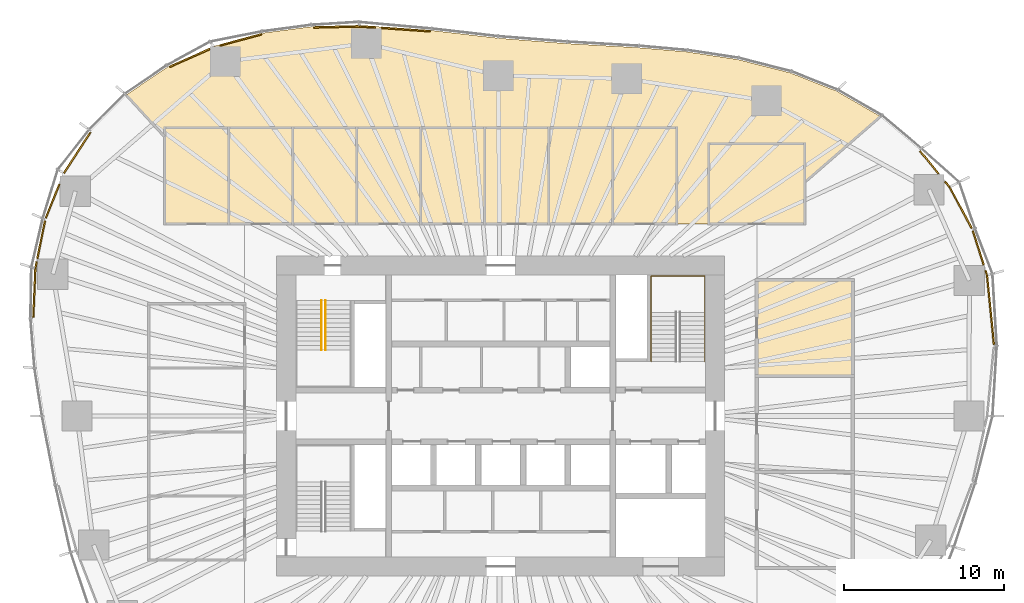
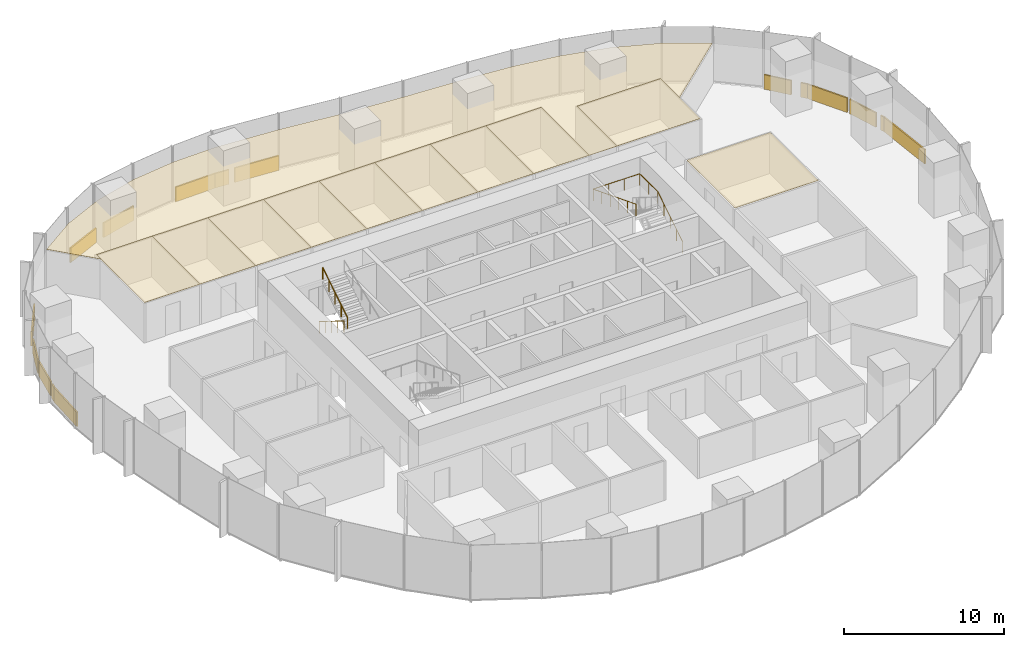
# One storey, part 20 of 20: 27 coverings, 3 railings.
"""IFC4 building model written with IfcOpenShell, lengths in metres."""

from ifc_helpers import new_model, si_unit, direction, frame, origin, origin_2d, place, context, subcontext, project, spatial, polyline, rectangle, circle, outline, extrude, material, layer, layer_set, type_object, element, save


model = new_model("IFC4")

# Units and contexts
model_context = context("Model", 3, precision=1e-05, world=origin(), true_north=direction((0.0, 1.0)))
body_context = subcontext(model_context, "Body", "Model", "MODEL_VIEW")
ifc_project = project(units=[si_unit("LENGTHUNIT", "METRE"), si_unit("AREAUNIT", "SQUARE_METRE"), si_unit("VOLUMEUNIT", "CUBIC_METRE"), si_unit("PLANEANGLEUNIT", "RADIAN"), si_unit("MASSUNIT", "GRAM", prefix="KILO")], contexts=[model_context])

# Site, building, storey
site_placement = place(None, origin())
site = spatial("IfcSite", under=ifc_project, at=site_placement, CompositionType="ELEMENT")
building_placement = place(site_placement, origin())
building = spatial("IfcBuilding", under=site, at=building_placement, Name="Ghaith Harvest Tower", CompositionType="ELEMENT")
storey_placement = place(building_placement, frame((0.0, 0.0, 109.199951171875)))
storey = spatial("IfcBuildingStorey", under=building, at=storey_placement, Name="L22", CompositionType="ELEMENT", Elevation=109.199951171875)

# Coverings
ifc_material_1 = material(Name="Mineral fibre ceiling tile", Category="gypsum")
ifc_layer_1 = layer(ifc_material_1, 0.02001953125)
ifc_layer_set_1 = layer_set([ifc_layer_1], Name="CEILING C1")
covering_type_1 = type_object("IfcCoveringType", Name="CEILING C1", PredefinedType="CEILING", material=ifc_layer_set_1)
covering_1_placement = place(storey_placement, frame((0.0, 0.0, 3.0)))
element("IfcCovering", 1, at=covering_1_placement, inside=storey, type_object=covering_type_1, Name="Ceiling L22-01", PredefinedType="CEILING", context=body_context, shape_type="SweptSolid", body=[
    extrude(outline(polyline([(-21.0, 12.0), (-17.0, 12.0), (-17.0, 18.0), (-21.0, 18.0), (-21.0, 12.0)])), origin(), (0.0, 0.0, 1.0), 0.02001953125),
])
covering_2_placement = place(storey_placement, frame((0.0, 0.0, 3.0)))
element("IfcCovering", 2, at=covering_2_placement, inside=storey, type_object=covering_type_1, Name="Ceiling L22-02", PredefinedType="CEILING", context=body_context, shape_type="SweptSolid", body=[
    extrude(outline(polyline([(-17.0, 12.0), (-13.0, 12.0), (-13.0, 18.0), (-17.0, 18.0), (-17.0, 12.0)])), origin(), (0.0, 0.0, 1.0), 0.02001953125),
])
covering_3_placement = place(storey_placement, frame((0.0, 0.0, 3.0)))
element("IfcCovering", 3, at=covering_3_placement, inside=storey, type_object=covering_type_1, Name="Ceiling L22-03", PredefinedType="CEILING", context=body_context, shape_type="SweptSolid", body=[
    extrude(outline(polyline([(-13.0, 12.0), (-9.0, 12.0), (-9.0, 18.0), (-13.0, 18.0), (-13.0, 12.0)])), origin(), (0.0, 0.0, 1.0), 0.02001953125),
])
covering_4_placement = place(storey_placement, frame((0.0, 0.0, 3.0)))
element("IfcCovering", 4, at=covering_4_placement, inside=storey, type_object=covering_type_1, Name="Ceiling L22-04", PredefinedType="CEILING", context=body_context, shape_type="SweptSolid", body=[
    extrude(outline(polyline([(-9.0, 12.0), (-5.0, 12.0), (-5.0, 18.0), (-9.0, 18.0), (-9.0, 12.0)])), origin(), (0.0, 0.0, 1.0), 0.02001953125),
])
covering_5_placement = place(storey_placement, frame((0.0, 0.0, 3.0)))
element("IfcCovering", 5, at=covering_5_placement, inside=storey, type_object=covering_type_1, Name="Ceiling L22-05", PredefinedType="CEILING", context=body_context, shape_type="SweptSolid", body=[
    extrude(outline(polyline([(-5.0, 12.0), (-1.0, 12.0), (-1.0, 18.0), (-5.0, 18.0), (-5.0, 12.0)])), origin(), (0.0, 0.0, 1.0), 0.02001953125),
])
covering_6_placement = place(storey_placement, frame((0.0, 0.0, 3.0)))
element("IfcCovering", 6, at=covering_6_placement, inside=storey, type_object=covering_type_1, Name="Ceiling L22-06", PredefinedType="CEILING", context=body_context, shape_type="SweptSolid", body=[
    extrude(outline(polyline([(-1.0, 12.0), (3.0, 12.0), (3.0, 18.0), (-1.0, 18.0), (-1.0, 12.0)])), origin(), (0.0, 0.0, 1.0), 0.02001953125),
])
covering_7_placement = place(storey_placement, frame((0.0, 0.0, 3.0)))
element("IfcCovering", 7, at=covering_7_placement, inside=storey, type_object=covering_type_1, Name="Ceiling L22-07", PredefinedType="CEILING", context=body_context, shape_type="SweptSolid", body=[
    extrude(outline(polyline([(3.0, 12.0), (7.0, 12.0), (7.0, 18.0), (3.0, 18.0), (3.0, 12.0)])), origin(), (0.0, 0.0, 1.0), 0.02001953125),
])
covering_8_placement = place(storey_placement, frame((0.0, 0.0, 3.0)))
element("IfcCovering", 8, at=covering_8_placement, inside=storey, type_object=covering_type_1, Name="Ceiling L22-08", PredefinedType="CEILING", context=body_context, shape_type="SweptSolid", body=[
    extrude(outline(polyline([(7.0, 12.0), (11.0, 12.0), (11.0, 18.0), (7.0, 18.0), (7.0, 12.0)])), origin(), (0.0, 0.0, 1.0), 0.02001953125),
])
covering_9_placement = place(storey_placement, frame((0.0, 0.0, 3.0)))
element("IfcCovering", 9, at=covering_9_placement, inside=storey, type_object=covering_type_1, Name="Ceiling L22-09", PredefinedType="CEILING", context=body_context, shape_type="SweptSolid", body=[
    extrude(outline(polyline([(13.0, 12.0), (19.0, 12.0), (19.0, 17.0), (13.0, 17.0), (13.0, 12.0)])), origin(), (0.0, 0.0, 1.0), 0.02001953125),
])
covering_10_placement = place(storey_placement, frame((0.0, 0.0, 3.0)))
element("IfcCovering", 10, at=covering_10_placement, inside=storey, type_object=covering_type_1, Name="Ceiling L22-12", PredefinedType="CEILING", context=body_context, shape_type="SweptSolid", body=[
    extrude(outline(polyline([(16.0, 2.5), (22.0, 2.5), (22.0, 8.5), (16.0, 8.5), (16.0, 2.5)])), origin(), (0.0, 0.0, 1.0), 0.02001953125),
])
covering_11_placement = place(storey_placement, frame((0.0, 0.0, 3.0)))
element("IfcCovering", 11, at=covering_11_placement, inside=storey, type_object=covering_type_1, Name="Ceiling L22-N1", PredefinedType="CEILING", context=body_context, shape_type="SweptSolid", body=[
    extrude(outline(polyline([(-20.79248046875, 21.82470703125), (-17.938232421875, 23.097412109375), (-14.860595703125, 23.927978515625), (-11.788818359375, 24.331787109375), (-8.814208984375, 24.404541015625), (-4.302001953125, 24.089111328125), (-0.16162109375, 23.609619140625), (4.125732421875, 23.272705078125), (8.604736328125, 23.017333984375), (11.617919921875, 22.757080078125), (14.79833984375, 22.27978515625), (18.0849609375, 21.4462890625), (20.97998046875, 20.3056640625), (23.7275390625, 18.718017578125), (19.0, 14.60791015625), (19.0, 17.0), (13.0, 17.0), (13.0, 12.0), (11.0, 12.0), (11.0, 18.0), (-21.0, 18.0), (-21.0, 17.447998046875), (-23.398193359375, 20.06103515625), (-20.79248046875, 21.82470703125)])), origin(), (0.0, 0.0, 1.0), 0.02001953125),
])

# Railings
ifc_material_2 = material(Name="Steel, black powder-coated", Category="steel")
railing_type = type_object("IfcRailingType", Name="HANDRAIL HR1", PredefinedType="HANDRAIL", material=ifc_material_2)
railing_1_placement = place(storey_placement, frame((-11.199951171875, 7.199951171875, 0.175048828125)))
element("IfcRailing", 12, at=railing_1_placement, inside=storey, type_object=railing_type, Name="Handrail HR1 stair ST1 L22 flight 1 inner", PredefinedType="HANDRAIL", context=body_context, shape_type="SweptSolid", body=[
    extrude(circle(Radius=0.02392578125, at=origin_2d()), frame((0.0, 0.0, 0.8759765625), z_axis=(0.0, -0.847979421464, 0.530029150871), x_axis=(1.0, 0.0, 0.0)), (0.0, 0.0, 1.0), 3.632080078125),
    extrude(circle(Radius=0.02099609375, at=origin_2d()), origin(), (0.0, 0.0, 1.0), 0.851806640625),
    extrude(circle(Radius=0.02099609375, at=origin_2d()), frame((0.0, -0.77001953125, 0.481201171875)), (0.0, 0.0, 1.0), 0.851806640625),
    extrude(circle(Radius=0.02099609375, at=origin_2d()), frame((0.0, -1.5400390625, 0.96240234375)), (0.0, 0.0, 1.0), 0.851806640625),
    extrude(circle(Radius=0.02099609375, at=origin_2d()), frame((0.0, -2.309814453125, 1.44384765625)), (0.0, 0.0, 1.0), 0.851806640625),
    extrude(circle(Radius=0.02099609375, at=origin_2d()), frame((0.0, -3.079833984375, 1.925048828125)), (0.0, 0.0, 1.0), 0.851806640625),
])
railing_2_placement = place(storey_placement, frame((-10.949951171875, 4.1201171875, 2.275146484375)))
element("IfcRailing", 13, at=railing_2_placement, inside=storey, type_object=railing_type, Name="Handrail HR1 stair ST1 L22 flight 2 inner", PredefinedType="HANDRAIL", context=body_context, shape_type="SweptSolid", body=[
    extrude(circle(Radius=0.02392578125, at=origin_2d()), frame((0.0, 0.0, 0.8759765625), z_axis=(0.0, 0.848009633417, 0.529980812513), x_axis=(-1.0, 0.0, 0.0)), (0.0, 0.0, 1.0), 3.6318359375),
    extrude(circle(Radius=0.02099609375, at=origin_2d()), origin(), (0.0, 0.0, 1.0), 0.851806640625),
    extrude(circle(Radius=0.02099609375, at=origin_2d()), frame((0.0, 0.77001953125, 0.481201171875)), (0.0, 0.0, 1.0), 0.851806640625),
    extrude(circle(Radius=0.02099609375, at=origin_2d()), frame((0.0, 1.5400390625, 0.96240234375)), (0.0, 0.0, 1.0), 0.851806640625),
    extrude(circle(Radius=0.02099609375, at=origin_2d()), frame((0.0, 2.309814453125, 1.443603515625)), (0.0, 0.0, 1.0), 0.851806640625),
    extrude(circle(Radius=0.02099609375, at=origin_2d()), frame((0.0, 3.079833984375, 1.9248046875)), (0.0, 0.0, 1.0), 0.851806640625),
])
railing_3_placement = place(storey_placement, frame((12.75, 3.39990234375, 0.175048828125)))
element("IfcRailing", 14, at=railing_3_placement, inside=storey, type_object=railing_type, Name="Handrail HR1 stair ST2 L22 wall side", PredefinedType="HANDRAIL", context=body_context, shape_type="SweptSolid", body=[
    extrude(circle(Radius=0.02392578125, at=origin_2d()), frame((0.0, 0.0, 0.8759765625), z_axis=(0.0, 0.847998304005, 0.529998940003), x_axis=(-1.0, 0.0, 0.0)), (0.0, 0.0, 1.0), 3.632080078125),
    extrude(circle(Radius=0.02392578125, at=origin_2d()), frame((0.0, 3.080078125, 2.80078125), z_axis=(0.0, 1.0, 0.0), x_axis=(-1.0, 0.0, 0.0)), (0.0, 0.0, 1.0), 2.27001953125),
    extrude(circle(Radius=0.02392578125, at=origin_2d()), frame((0.0, 5.35009765625, 2.80078125), z_axis=(-1.0, 0.0, 0.0), x_axis=(0.0, -1.0, 0.0)), (0.0, 0.0, 1.0), 3.35009765625),
    extrude(circle(Radius=0.02392578125, at=origin_2d()), frame((-3.35009765625, 5.35009765625, 2.80078125), z_axis=(0.0, -0.930868132128, 0.365355334692), x_axis=(1.0, 0.0, 0.0)), (0.0, 0.0, 1.0), 5.747314453125),
    extrude(circle(Radius=0.02099609375, at=origin_2d()), origin(), (0.0, 0.0, 1.0), 0.851806640625),
    extrude(circle(Radius=0.02099609375, at=origin_2d()), frame((0.0, 0.77001953125, 0.481201171875)), (0.0, 0.0, 1.0), 0.851806640625),
    extrude(circle(Radius=0.02099609375, at=origin_2d()), frame((0.0, 1.5400390625, 0.96240234375)), (0.0, 0.0, 1.0), 0.851806640625),
    extrude(circle(Radius=0.02099609375, at=origin_2d()), frame((0.0, 2.31005859375, 1.44384765625)), (0.0, 0.0, 1.0), 0.851806640625),
    extrude(circle(Radius=0.02099609375, at=origin_2d()), frame((0.0, 3.080078125, 1.925048828125)), (0.0, 0.0, 1.0), 0.851806640625),
    extrude(circle(Radius=0.02099609375, at=origin_2d()), frame((0.0, 4.215087890625, 1.925048828125)), (0.0, 0.0, 1.0), 0.851806640625),
    extrude(circle(Radius=0.02099609375, at=origin_2d()), frame((0.0, 5.35009765625, 1.925048828125)), (0.0, 0.0, 1.0), 0.851806640625),
    extrude(circle(Radius=0.02099609375, at=origin_2d()), frame((-1.11669921875, 5.35009765625, 1.925048828125)), (0.0, 0.0, 1.0), 0.851806640625),
    extrude(circle(Radius=0.02099609375, at=origin_2d()), frame((-2.2333984375, 5.35009765625, 1.925048828125)), (0.0, 0.0, 1.0), 0.851806640625),
    extrude(circle(Radius=0.02099609375, at=origin_2d()), frame((-3.35009765625, 5.35009765625, 1.925048828125)), (0.0, 0.0, 1.0), 0.851806640625),
    extrude(circle(Radius=0.02099609375, at=origin_2d()), frame((-3.35009765625, 4.280029296875, 2.344970703125)), (0.0, 0.0, 1.0), 0.851806640625),
    extrude(circle(Radius=0.02099609375, at=origin_2d()), frame((-3.35009765625, 3.2099609375, 2.764892578125)), (0.0, 0.0, 1.0), 0.851806640625),
    extrude(circle(Radius=0.02099609375, at=origin_2d()), frame((-3.35009765625, 2.14013671875, 3.18505859375)), (0.0, 0.0, 1.0), 0.851806640625),
    extrude(circle(Radius=0.02099609375, at=origin_2d()), frame((-3.35009765625, 1.070068359375, 3.60498046875)), (0.0, 0.0, 1.0), 0.851806640625),
    extrude(circle(Radius=0.02099609375, at=origin_2d()), frame((-3.35009765625, 0.0, 4.02490234375)), (0.0, 0.0, 1.0), 0.851806640625),
])

# Coverings
ifc_material_3 = material(Name="Insulated aluminium spandrel panel on steel framing", Category="steel")
ifc_layer_2 = layer(ifc_material_3, 0.10009765625)
ifc_layer_set_2 = layer_set([ifc_layer_2], Name="SLAB EDGE UPSTAND 1100x100")
covering_type_2 = type_object("IfcCoveringType", Name="SLAB EDGE UPSTAND 1100x100", PredefinedType="CLADDING", material=ifc_layer_set_2)
covering_12_placement = place(storey_placement, frame((30.604736328125, 6.630126953125, 0.0), z_axis=(0.0, 0.0, 1.0), x_axis=(-0.099131765681, 0.995074315332, 0.0)))
element("IfcCovering", 15, at=covering_12_placement, inside=storey, type_object=covering_type_2, Name="Slab edge upstand 2 bay 01 L22", PredefinedType="CLADDING", context=body_context, shape_type="SweptSolid", body=[
    extrude(rectangle(XDim=4.346435546875, YDim=0.10009765625, at=origin_2d()), origin(), (0.0, 0.0, 1.0), 1.10009765625),
])
covering_13_placement = place(storey_placement, frame((30.342529296875, 8.935791015625, 0.0), z_axis=(0.0, 0.0, 1.0), x_axis=(-0.303716894855, 0.952762324916, 0.0)))
element("IfcCovering", 16, at=covering_13_placement, inside=storey, type_object=covering_type_2, Name="Slab edge upstand 1 bay 02 L22", PredefinedType="CLADDING", context=body_context, shape_type="SweptSolid", body=[
    extrude(rectangle(XDim=0.322021484375, YDim=0.10009765625, at=origin_2d()), origin(), (0.0, 0.0, 1.0), 1.10009765625),
])
covering_14_placement = place(storey_placement, frame((29.84375, 10.500244140625, 0.0), z_axis=(0.0, 0.0, 1.0), x_axis=(-0.303716894855, 0.952762324916, 0.0)))
element("IfcCovering", 17, at=covering_14_placement, inside=storey, type_object=covering_type_2, Name="Slab edge upstand 1 bay 02 L22", PredefinedType="CLADDING", context=body_context, shape_type="SweptSolid", body=[
    extrude(rectangle(XDim=2.227294921875, YDim=0.10009765625, at=origin_2d()), origin(), (0.0, 0.0, 1.0), 1.10009765625),
])
covering_15_placement = place(storey_placement, frame((28.738037109375, 13.018798828125, 0.0), z_axis=(0.0, 0.0, 1.0), x_axis=(-0.475408661811, 0.87976508471, 0.0)))
element("IfcCovering", 18, at=covering_15_placement, inside=storey, type_object=covering_type_2, Name="Slab edge upstand 2 bay 02 L22", PredefinedType="CLADDING", context=body_context, shape_type="SweptSolid", body=[
    extrude(rectangle(XDim=2.91650390625, YDim=0.10009765625, at=origin_2d()), origin(), (0.0, 0.0, 1.0), 1.10009765625),
])
covering_16_placement = place(storey_placement, frame((27.906494140625, 14.4697265625, 0.0), z_axis=(0.0, 0.0, 1.0), x_axis=(-0.632969558548, 0.774176683937, 0.0)))
element("IfcCovering", 19, at=covering_16_placement, inside=storey, type_object=covering_type_2, Name="Slab edge upstand 3 bay 02 L22", PredefinedType="CLADDING", context=body_context, shape_type="SweptSolid", body=[
    extrude(rectangle(XDim=0.4541015625, YDim=0.10009765625, at=origin_2d()), origin(), (0.0, 0.0, 1.0), 1.10009765625),
])
covering_17_placement = place(storey_placement, frame((26.78173828125, 15.84521484375, 0.0), z_axis=(0.0, 0.0, 1.0), x_axis=(-0.632969558548, 0.774176683937, 0.0)))
element("IfcCovering", 20, at=covering_17_placement, inside=storey, type_object=covering_type_2, Name="Slab edge upstand 3 bay 02 L22", PredefinedType="CLADDING", context=body_context, shape_type="SweptSolid", body=[
    extrude(rectangle(XDim=1.825439453125, YDim=0.10009765625, at=origin_2d()), origin(), (0.0, 0.0, 1.0), 1.10009765625),
])
covering_18_placement = place(storey_placement, frame((-5.92431640625, 24.15234375, 0.0), z_axis=(0.0, 0.0, 1.0), x_axis=(-0.997566199698, 0.069725728542, 0.0)))
element("IfcCovering", 21, at=covering_18_placement, inside=storey, type_object=covering_type_2, Name="Slab edge upstand 2 bay 06 L22", PredefinedType="CLADDING", context=body_context, shape_type="SweptSolid", body=[
    extrude(rectangle(XDim=3.0458984375, YDim=0.10009765625, at=origin_2d()), origin(), (0.0, 0.0, 1.0), 1.10009765625),
])
covering_19_placement = place(storey_placement, frame((-8.326416015625, 24.3203125, 0.0), z_axis=(0.0, 0.0, 1.0), x_axis=(-0.997566199698, 0.069725728542, 0.0)))
element("IfcCovering", 22, at=covering_19_placement, inside=storey, type_object=covering_type_2, Name="Slab edge upstand 2 bay 06 L22", PredefinedType="CLADDING", context=body_context, shape_type="SweptSolid", body=[
    extrude(rectangle(XDim=0.985595703125, YDim=0.10009765625, at=origin_2d()), origin(), (0.0, 0.0, 1.0), 1.10009765625),
])
covering_20_placement = place(storey_placement, frame((-10.25048828125, 24.3193359375, 0.0), z_axis=(0.0, 0.0, 1.0), x_axis=(-0.999700846757, -0.024458474865, 0.0)))
element("IfcCovering", 23, at=covering_20_placement, inside=storey, type_object=covering_type_2, Name="Slab edge upstand 1 bay 07 L22", PredefinedType="CLADDING", context=body_context, shape_type="SweptSolid", body=[
    extrude(rectangle(XDim=2.87548828125, YDim=0.10009765625, at=origin_2d()), origin(), (0.0, 0.0, 1.0), 1.10009765625),
])
covering_21_placement = place(storey_placement, frame((-16.232421875, 23.506103515625, 0.0), z_axis=(0.0, 0.0, 1.0), x_axis=(-0.965455035926, -0.260569709685, 0.0)))
element("IfcCovering", 24, at=covering_21_placement, inside=storey, type_object=covering_type_2, Name="Slab edge upstand 3 bay 07 L22", PredefinedType="CLADDING", context=body_context, shape_type="SweptSolid", body=[
    extrude(rectangle(XDim=2.669189453125, YDim=0.10009765625, at=origin_2d()), origin(), (0.0, 0.0, 1.0), 1.10009765625),
])
covering_22_placement = place(storey_placement, frame((-19.431640625, 22.376953125, 0.0), z_axis=(0.0, 0.0, 1.0), x_axis=(-0.913334621001, -0.40720986, 0.0)))
element("IfcCovering", 25, at=covering_22_placement, inside=storey, type_object=covering_type_2, Name="Slab edge upstand 1 bay 08 L22", PredefinedType="CLADDING", context=body_context, shape_type="SweptSolid", body=[
    extrude(rectangle(XDim=2.735595703125, YDim=0.10009765625, at=origin_2d()), origin(), (0.0, 0.0, 1.0), 1.10009765625),
])
covering_23_placement = place(storey_placement, frame((-26.464599609375, 16.4462890625, 0.0), z_axis=(0.0, 0.0, 1.0), x_axis=(-0.548312211554, -0.836273710373, 0.0)))
element("IfcCovering", 26, at=covering_23_placement, inside=storey, type_object=covering_type_2, Name="Slab edge upstand 1 bay 09 L22", PredefinedType="CLADDING", context=body_context, shape_type="SweptSolid", body=[
    extrude(rectangle(XDim=3.03466796875, YDim=0.10009765625, at=origin_2d()), origin(), (0.0, 0.0, 1.0), 1.10009765625),
])
covering_24_placement = place(storey_placement, frame((-28.001220703125, 13.420654296875, 0.0), z_axis=(0.0, 0.0, 1.0), x_axis=(-0.372732078847, -0.927939005215, 0.0)))
element("IfcCovering", 27, at=covering_24_placement, inside=storey, type_object=covering_type_2, Name="Slab edge upstand 2 bay 09 L22", PredefinedType="CLADDING", context=body_context, shape_type="SweptSolid", body=[
    extrude(rectangle(XDim=2.26318359375, YDim=0.10009765625, at=origin_2d()), origin(), (0.0, 0.0, 1.0), 1.10009765625),
])
covering_25_placement = place(storey_placement, frame((-28.715087890625, 11.01318359375, 0.0), z_axis=(0.0, 0.0, 1.0), x_axis=(-0.198182542943, -0.980165128778, 0.0)))
element("IfcCovering", 28, at=covering_25_placement, inside=storey, type_object=covering_type_2, Name="Slab edge upstand 3 bay 09 L22", PredefinedType="CLADDING", context=body_context, shape_type="SweptSolid", body=[
    extrude(rectangle(XDim=2.398193359375, YDim=0.10009765625, at=origin_2d()), origin(), (0.0, 0.0, 1.0), 1.10009765625),
])
covering_26_placement = place(storey_placement, frame((-29.03466796875, 9.43212890625, 0.0), z_axis=(0.0, 0.0, 1.0), x_axis=(-0.198182542943, -0.980165128778, 0.0)))
element("IfcCovering", 29, at=covering_26_placement, inside=storey, type_object=covering_type_2, Name="Slab edge upstand 3 bay 09 L22", PredefinedType="CLADDING", context=body_context, shape_type="SweptSolid", body=[
    extrude(rectangle(XDim=0.431396484375, YDim=0.10009765625, at=origin_2d()), origin(), (0.0, 0.0, 1.0), 1.10009765625),
])
covering_27_placement = place(storey_placement, frame((-29.141357421875, 7.69921875, 0.0), z_axis=(0.0, 0.0, 1.0), x_axis=(-0.042372799788, -0.9991018696, 0.0)))
element("IfcCovering", 30, at=covering_27_placement, inside=storey, type_object=covering_type_2, Name="Slab edge upstand 1 bay 10 L22", PredefinedType="CLADDING", context=body_context, shape_type="SweptSolid", body=[
    extrude(rectangle(XDim=3.061767578125, YDim=0.10009765625, at=origin_2d()), origin(), (0.0, 0.0, 1.0), 1.10009765625),
])

save(model, "model.ifc")
